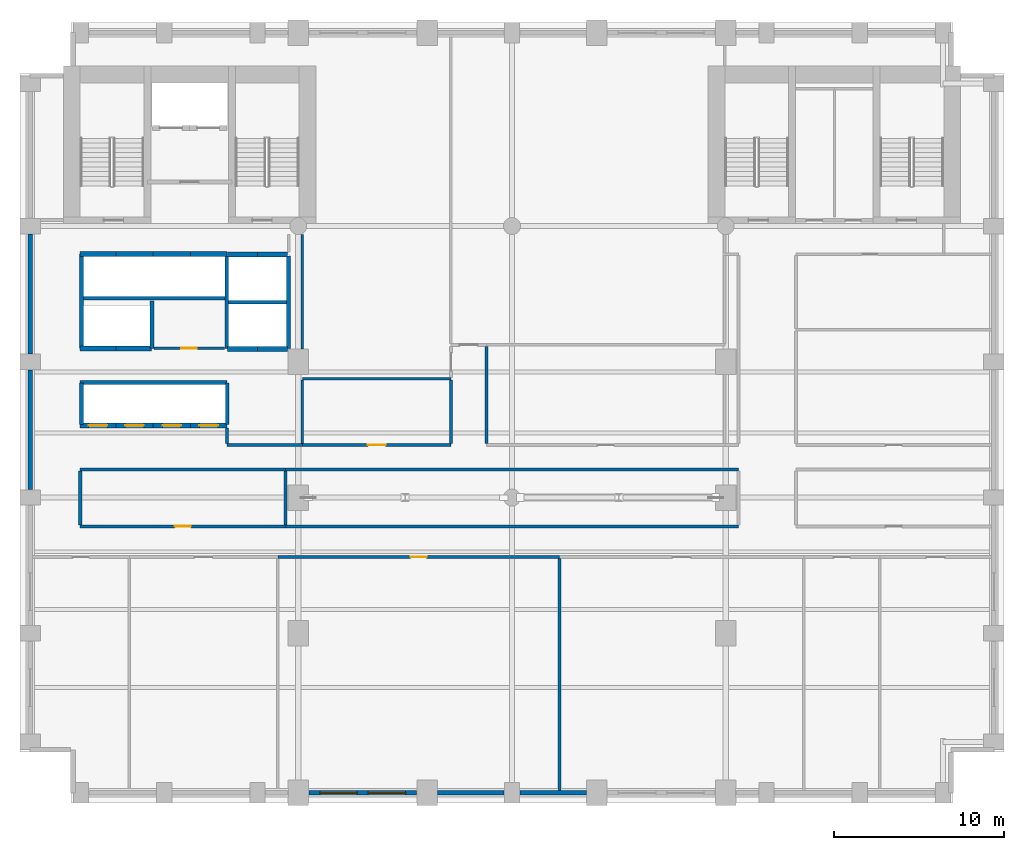
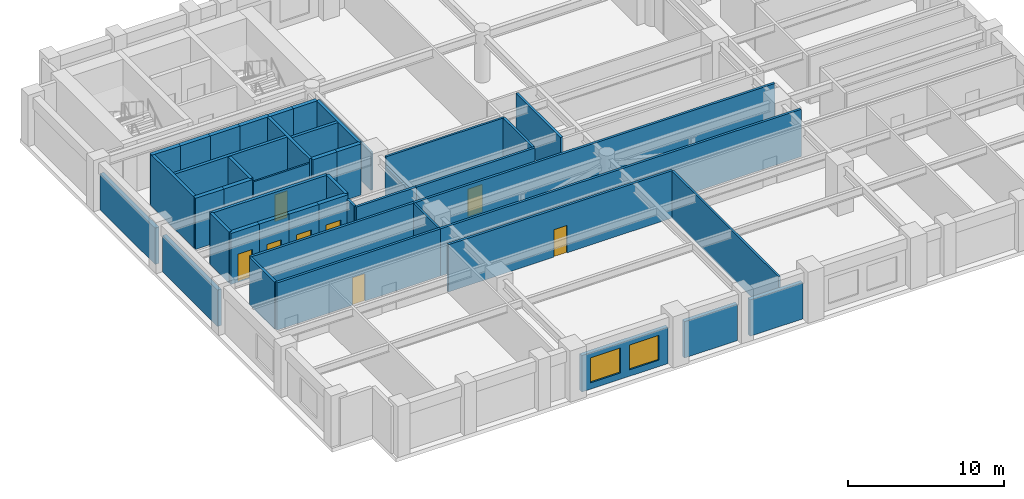
# One storey, part 5 of 10: 45 walls, 8 doors, 2 windows, 10 openings.
"""IFC4 building model written with IfcOpenShell, lengths in metres."""

from ifc_helpers import new_model, si_unit, direction, frame, frame_2d, origin, place, context, subcontext, project, spatial, rectangle, extrude, material, layer, layer_set, type_object, element, fill, save


model = new_model("IFC4")

# Units and contexts
model_context = context("Model", 3, precision=1e-05, world=origin(), true_north=direction((0.0, 1.0)))
body_context = subcontext(model_context, "Body", "Model", "MODEL_VIEW")
ifc_project = project(units=[si_unit("LENGTHUNIT", "METRE"), si_unit("AREAUNIT", "SQUARE_METRE"), si_unit("VOLUMEUNIT", "CUBIC_METRE"), si_unit("PLANEANGLEUNIT", "RADIAN"), si_unit("MASSUNIT", "GRAM", prefix="KILO")], contexts=[model_context])

# Site, building, storey
site_placement = place(None, origin())
site = spatial("IfcSite", under=ifc_project, at=site_placement, CompositionType="ELEMENT")
building_placement = place(site_placement, origin())
building = spatial("IfcBuilding", under=site, at=building_placement, Name="Sulina Concourse Tower", CompositionType="ELEMENT")
storey_placement = place(building_placement, frame((0.0, 0.0, 58.60009765625)))
storey = spatial("IfcBuildingStorey", under=building, at=storey_placement, Name="L14", CompositionType="ELEMENT", Elevation=58.60009765625)

# Walls
ifc_material_1 = material(Name="Concrete C50/60", Category="concrete")
ifc_layer_1 = layer(ifc_material_1, 0.219970703125)
ifc_layer_set_1 = layer_set([ifc_layer_1], Name="Concrete C50/60")
wall_type_1 = type_object("IfcWallType", Name="Core Lift Hoistway Divider Wall 220mm", PredefinedType="SOLIDWALL", material=ifc_layer_set_1)
wall_1_placement = place(storey_placement, frame((3.550048828125, 29.75, 0.0), z_axis=(0.0, 0.0, 1.0), x_axis=(1.0, 0.0, 0.0)))
element("IfcWall", 1, at=wall_1_placement, inside=storey, type_object=wall_type_1, Name="L14 shaft divider wall HW-LP3-S", PredefinedType="SOLIDWALL", context=body_context, shape_type="SweptSolid", body=[
    extrude(rectangle(XDim=8.64990234375, YDim=0.219970703125, at=frame_2d((4.324951171875, 0.0))), origin(), (0.0, 0.0, 1.0), 4.0),
])
wall_2_placement = place(storey_placement, frame((3.6298828125, 26.800048828125, 0.0), z_axis=(0.0, 0.0, 1.0), x_axis=(0.0, 1.0, 0.0)))
element("IfcWall", 2, at=wall_2_placement, inside=storey, type_object=wall_type_1, Name="L14 shaft divider wall HW-LP3-W", PredefinedType="SOLIDWALL", context=body_context, shape_type="SweptSolid", body=[
    extrude(rectangle(XDim=5.550048828125, YDim=0.219970703125, at=frame_2d((2.77490234375, 0.0))), origin(), (0.0, 0.0, 1.0), 4.0),
])
wall_3_placement = place(storey_placement, frame((7.780029296875, 26.800048828125, 0.0), z_axis=(0.0, 0.0, 1.0), x_axis=(0.0, 1.0, 0.0)))
element("IfcWall", 3, at=wall_3_placement, inside=storey, type_object=wall_type_1, Name="L14 shaft divider wall HW-EXP-E", PredefinedType="SOLIDWALL", context=body_context, shape_type="SweptSolid", body=[
    extrude(rectangle(XDim=2.800048828125, YDim=0.219970703125, at=frame_2d((1.39990234375, 0.0))), origin(), (0.0, 0.0, 1.0), 4.0),
])
for number, where, z_axis, x_axis, name in (
    (4, (12.179931640625, 26.800048828125, 0.0), (0.0, 0.0, 1.0), (0.0, 1.0, 0.0), "L14 shaft divider wall HW-LP2-W"),
    (5, (15.820068359375, 26.800048828125, 0.0), (0.0, 0.0, 1.0), (0.0, 1.0, 0.0), "L14 shaft divider wall HW-LP2-E"),
):
    element("IfcWall", number, at=place(storey_placement, frame(where, z_axis=z_axis, x_axis=x_axis)), inside=storey, type_object=wall_type_1, Name=name, PredefinedType="SOLIDWALL", context=body_context, shape_type="SweptSolid", body=[
        extrude(rectangle(XDim=5.449951171875, YDim=0.219970703125, at=frame_2d((2.72509765625, 0.0))), origin(), (0.0, 0.0, 1.0), 4.0),
    ])
wall_4_placement = place(storey_placement, frame((12.300048828125, 29.52001953125, 0.0), z_axis=(0.0, 0.0, 1.0), x_axis=(1.0, 0.0, 0.0)))
element("IfcWall", 6, at=wall_4_placement, inside=storey, type_object=wall_type_1, Name="L14 shaft divider wall HW-LP2-M", PredefinedType="SOLIDWALL", context=body_context, shape_type="SweptSolid", body=[
    extrude(rectangle(XDim=3.39990234375, YDim=0.219970703125, at=frame_2d((1.699951171875, 0.0))), origin(), (0.0, 0.0, 1.0), 4.0),
])
wall_5_placement = place(storey_placement, frame((3.550048828125, 24.780029296875, 0.0), z_axis=(0.0, 0.0, 1.0), x_axis=(1.0, 0.0, 0.0)))
element("IfcWall", 7, at=wall_5_placement, inside=storey, type_object=wall_type_1, Name="L14 shaft divider wall HW-LP1-N", PredefinedType="SOLIDWALL", context=body_context, shape_type="SweptSolid", body=[
    extrude(rectangle(XDim=8.64990234375, YDim=0.219970703125, at=frame_2d((4.324951171875, 0.0))), origin(), (0.0, 0.0, 1.0), 4.0),
])
for number, where, z_axis, x_axis, name in (
    (8, (3.6298828125, 22.300048828125, 0.0), (0.0, 0.0, 1.0), (0.0, 1.0, 0.0), "L14 shaft divider wall HW-LP1-W"),
    (9, (12.219970703125, 22.300048828125, 0.0), (0.0, 0.0, 1.0), (0.0, 1.0, 0.0), "L14 shaft divider wall HW-LP1-E"),
):
    element("IfcWall", number, at=place(storey_placement, frame(where, z_axis=z_axis, x_axis=x_axis)), inside=storey, type_object=wall_type_1, Name=name, PredefinedType="SOLIDWALL", context=body_context, shape_type="SweptSolid", body=[
        extrude(rectangle(XDim=2.449951171875, YDim=0.219970703125, at=frame_2d((1.22509765625, 0.0))), origin(), (0.0, 0.0, 1.0), 4.0),
    ])

# Wall, opening, door
ifc_material_2 = material(Name="Concrete C50/60", Category="concrete")
ifc_layer_2 = layer(ifc_material_2, 0.300048828125)
ifc_layer_set_2 = layer_set([ifc_layer_2], Name="Concrete C50/60")
wall_type_2 = type_object("IfcWallType", Name="Core Lift Hoistway Wall 300mm", PredefinedType="SOLIDWALL", material=ifc_layer_set_2)
wall_6_placement = place(storey_placement, frame((5.64990234375, 22.25, 0.0), z_axis=(0.0, 0.0, 1.0), x_axis=(-1.0, 0.0, 0.0)))
wall_6 = element("IfcWall", 10, at=wall_6_placement, inside=storey, type_object=wall_type_2, Name="L14 hoistway enclosure wall LP-01", PredefinedType="SOLIDWALL", context=body_context, shape_type="SweptSolid", body=[
    extrude(rectangle(XDim=2.099853515625, YDim=0.300048828125, at=frame_2d((1.0498046875, 0.0))), origin(), (0.0, 0.0, 1.0), 4.0),
])
opening_1_placement = place(wall_6_placement, frame((0.5, 0.0, 0.0)))
opening_1 = element("IfcOpeningElement", 11, at=opening_1_placement, cuts=wall_6, Name="Opening LD-01", PredefinedType="OPENING", context=body_context, shape_type="SweptSolid", body=[
    extrude(rectangle(XDim=1.10009765625, YDim=2.199951171875, at=frame_2d((0.550048828125, 1.10009765625))), frame((0.0, 0.159912109375, 0.0), z_axis=(0.0, -1.0, 0.0), x_axis=(1.0, 0.0, 0.0)), (0.0, 0.0, 1.0), 0.320068359375),
])
ifc_material_3 = material(Name="Stainless steel lift landing door", Category="steel")
ifc_layer_3 = layer(ifc_material_3, 0.050048828125)
ifc_layer_set_3 = layer_set([ifc_layer_3], Name="Stainless steel lift landing door")
door_type_1 = type_object("IfcDoorType", Name="Passenger Lift Sliding Landing Door 1100x2200", OperationType="SLIDING_TO_LEFT", PredefinedType="DOOR", material=ifc_layer_set_3)
door_1_placement = place(opening_1_placement, origin())
door_1 = element("IfcDoor", 12, at=door_1_placement, inside=storey, type_object=door_type_1, Name="L14 lift landing sliding door LP-01", OperationType="SLIDING_TO_LEFT", OverallHeight=2.199951171875, OverallWidth=1.10009765625, PredefinedType="DOOR", context=body_context, shape_type="SweptSolid", body=[
    extrude(rectangle(XDim=1.10009765625, YDim=2.199951171875, at=frame_2d((0.550048828125, 1.10009765625))), frame((0.0, 0.02490234375, 0.0), z_axis=(0.0, -1.0, 0.0), x_axis=(1.0, 0.0, 0.0)), (0.0, 0.0, 1.0), 0.050048828125),
])
fill(opening_1, door_1)

wall_7_placement = place(storey_placement, frame((7.85009765625, 22.25, 0.0), z_axis=(0.0, 0.0, 1.0), x_axis=(-1.0, 0.0, 0.0)))
wall_7 = element("IfcWall", 13, at=wall_7_placement, inside=storey, type_object=wall_type_2, Name="L14 hoistway enclosure wall LP-02", PredefinedType="SOLIDWALL", context=body_context, shape_type="SweptSolid", body=[
    extrude(rectangle(XDim=2.2001953125, YDim=0.300048828125, at=frame_2d((1.10009765625, 0.0))), origin(), (0.0, 0.0, 1.0), 4.0),
])
opening_2_placement = place(wall_7_placement, frame((0.550048828125, 0.0, 0.0)))
opening_2 = element("IfcOpeningElement", 14, at=opening_2_placement, cuts=wall_7, Name="Opening LD-01", PredefinedType="OPENING", context=body_context, shape_type="SweptSolid", body=[
    extrude(rectangle(XDim=1.10009765625, YDim=2.199951171875, at=frame_2d((0.550048828125, 1.10009765625))), frame((0.0, 0.159912109375, 0.0), z_axis=(0.0, -1.0, 0.0), x_axis=(1.0, 0.0, 0.0)), (0.0, 0.0, 1.0), 0.320068359375),
])
door_2_placement = place(opening_2_placement, origin())
door_2 = element("IfcDoor", 15, at=door_2_placement, inside=storey, type_object=door_type_1, Name="L14 lift landing sliding door LP-02", OperationType="SLIDING_TO_RIGHT", OverallHeight=2.199951171875, OverallWidth=1.10009765625, PredefinedType="DOOR", context=body_context, shape_type="SweptSolid", body=[
    extrude(rectangle(XDim=1.10009765625, YDim=2.199951171875, at=frame_2d((0.550048828125, 1.10009765625))), frame((0.0, 0.02490234375, 0.0), z_axis=(0.0, -1.0, 0.0), x_axis=(1.0, 0.0, 0.0)), (0.0, 0.0, 1.0), 0.050048828125),
])
fill(opening_2, door_2)

wall_8_placement = place(storey_placement, frame((10.050048828125, 22.25, 0.0), z_axis=(0.0, 0.0, 1.0), x_axis=(-1.0, 0.0, 0.0)))
wall_8 = element("IfcWall", 16, at=wall_8_placement, inside=storey, type_object=wall_type_2, Name="L14 hoistway enclosure wall LP-03", PredefinedType="SOLIDWALL", context=body_context, shape_type="SweptSolid", body=[
    extrude(rectangle(XDim=2.199951171875, YDim=0.300048828125, at=frame_2d((1.10009765625, 0.0))), origin(), (0.0, 0.0, 1.0), 4.0),
])
opening_3_placement = place(wall_8_placement, frame((0.550048828125, 0.0, 0.0)))
opening_3 = element("IfcOpeningElement", 17, at=opening_3_placement, cuts=wall_8, Name="Opening LD-01", PredefinedType="OPENING", context=body_context, shape_type="SweptSolid", body=[
    extrude(rectangle(XDim=1.10009765625, YDim=2.199951171875, at=frame_2d((0.550048828125, 1.10009765625))), frame((0.0, 0.159912109375, 0.0), z_axis=(0.0, -1.0, 0.0), x_axis=(1.0, 0.0, 0.0)), (0.0, 0.0, 1.0), 0.320068359375),
])
door_3_placement = place(opening_3_placement, origin())
door_3 = element("IfcDoor", 18, at=door_3_placement, inside=storey, type_object=door_type_1, Name="L14 lift landing sliding door LP-03", OperationType="SLIDING_TO_LEFT", OverallHeight=2.199951171875, OverallWidth=1.10009765625, PredefinedType="DOOR", context=body_context, shape_type="SweptSolid", body=[
    extrude(rectangle(XDim=1.10009765625, YDim=2.199951171875, at=frame_2d((0.550048828125, 1.10009765625))), frame((0.0, 0.02490234375, 0.0), z_axis=(0.0, -1.0, 0.0), x_axis=(1.0, 0.0, 0.0)), (0.0, 0.0, 1.0), 0.050048828125),
])
fill(opening_3, door_3)

wall_9_placement = place(storey_placement, frame((12.199951171875, 22.25, 0.0), z_axis=(0.0, 0.0, 1.0), x_axis=(-1.0, 0.0, 0.0)))
wall_9 = element("IfcWall", 19, at=wall_9_placement, inside=storey, type_object=wall_type_2, Name="L14 hoistway enclosure wall LP-04", PredefinedType="SOLIDWALL", context=body_context, shape_type="SweptSolid", body=[
    extrude(rectangle(XDim=2.14990234375, YDim=0.300048828125, at=frame_2d((1.074951171875, 0.0))), origin(), (0.0, 0.0, 1.0), 4.0),
])
opening_4_placement = place(wall_9_placement, frame((0.52490234375, 0.0, 0.0)))
opening_4 = element("IfcOpeningElement", 20, at=opening_4_placement, cuts=wall_9, Name="Opening LD-01", PredefinedType="OPENING", context=body_context, shape_type="SweptSolid", body=[
    extrude(rectangle(XDim=1.10009765625, YDim=2.199951171875, at=frame_2d((0.550048828125, 1.10009765625))), frame((0.0, 0.159912109375, 0.0), z_axis=(0.0, -1.0, 0.0), x_axis=(1.0, 0.0, 0.0)), (0.0, 0.0, 1.0), 0.320068359375),
])
door_4_placement = place(opening_4_placement, origin())
door_4 = element("IfcDoor", 21, at=door_4_placement, inside=storey, type_object=door_type_1, Name="L14 lift landing sliding door LP-04", OperationType="SLIDING_TO_RIGHT", OverallHeight=2.199951171875, OverallWidth=1.10009765625, PredefinedType="DOOR", context=body_context, shape_type="SweptSolid", body=[
    extrude(rectangle(XDim=1.10009765625, YDim=2.199951171875, at=frame_2d((0.550048828125, 1.10009765625))), frame((0.0, 0.02490234375, 0.0), z_axis=(0.0, -1.0, 0.0), x_axis=(1.0, 0.0, 0.0)), (0.0, 0.0, 1.0), 0.050048828125),
])
fill(opening_4, door_4)

# Walls
for number, where, z_axis, x_axis, name in (
    (22, (14.0, 26.75, 0.0), (0.0, 0.0, 1.0), (-1.0, 0.0, 0.0), "L14 hoistway enclosure wall LP-05"),
    (23, (15.780029296875, 26.75, 0.0), (0.0, 0.0, 1.0), (-1.0, 0.0, 0.0), "L14 hoistway enclosure wall LP-06"),
    (24, (12.219970703125, 32.320068359375, 0.0), (0.0, 0.0, 1.0), (1.0, 0.0, 0.0), "L14 hoistway enclosure wall LP-07"),
    (25, (14.0, 32.320068359375, 0.0), (0.0, 0.0, 1.0), (1.0, 0.0, 0.0), "L14 hoistway enclosure wall LP-08"),
):
    element("IfcWall", number, at=place(storey_placement, frame(where, z_axis=z_axis, x_axis=x_axis)), inside=storey, type_object=wall_type_2, Name=name, PredefinedType="SOLIDWALL", context=body_context, shape_type="SweptSolid", body=[
        extrude(rectangle(XDim=1.780029296875, YDim=0.300048828125, at=frame_2d((0.89013671875, 0.0))), origin(), (0.0, 0.0, 1.0), 4.0),
    ])
wall_10_placement = place(storey_placement, frame((3.550048828125, 32.35009765625, 0.0), z_axis=(0.0, 0.0, 1.0), x_axis=(1.0, 0.0, 0.0)))
element("IfcWall", 26, at=wall_10_placement, inside=storey, type_object=wall_type_2, Name="L14 hoistway enclosure wall LP-09", PredefinedType="SOLIDWALL", context=body_context, shape_type="SweptSolid", body=[
    extrude(rectangle(XDim=2.099853515625, YDim=0.300048828125, at=frame_2d((1.0498046875, 0.0))), origin(), (0.0, 0.0, 1.0), 4.0),
])
wall_11_placement = place(storey_placement, frame((5.64990234375, 32.35009765625, 0.0), z_axis=(0.0, 0.0, 1.0), x_axis=(1.0, 0.0, 0.0)))
element("IfcWall", 27, at=wall_11_placement, inside=storey, type_object=wall_type_2, Name="L14 hoistway enclosure wall LP-10", PredefinedType="SOLIDWALL", context=body_context, shape_type="SweptSolid", body=[
    extrude(rectangle(XDim=2.2001953125, YDim=0.300048828125, at=frame_2d((1.10009765625, 0.0))), origin(), (0.0, 0.0, 1.0), 4.0),
])
wall_12_placement = place(storey_placement, frame((7.85009765625, 32.35009765625, 0.0), z_axis=(0.0, 0.0, 1.0), x_axis=(1.0, 0.0, 0.0)))
element("IfcWall", 28, at=wall_12_placement, inside=storey, type_object=wall_type_2, Name="L14 hoistway enclosure wall LP-11", PredefinedType="SOLIDWALL", context=body_context, shape_type="SweptSolid", body=[
    extrude(rectangle(XDim=2.199951171875, YDim=0.300048828125, at=frame_2d((1.10009765625, 0.0))), origin(), (0.0, 0.0, 1.0), 4.0),
])
wall_13_placement = place(storey_placement, frame((10.050048828125, 32.35009765625, 0.0), z_axis=(0.0, 0.0, 1.0), x_axis=(1.0, 0.0, 0.0)))
element("IfcWall", 29, at=wall_13_placement, inside=storey, type_object=wall_type_2, Name="L14 hoistway enclosure wall LP-12", PredefinedType="SOLIDWALL", context=body_context, shape_type="SweptSolid", body=[
    extrude(rectangle(XDim=2.14990234375, YDim=0.300048828125, at=frame_2d((1.074951171875, 0.0))), origin(), (0.0, 0.0, 1.0), 4.0),
])
wall_14_placement = place(storey_placement, frame((5.64990234375, 26.780029296875, 0.0), z_axis=(0.0, 0.0, 1.0), x_axis=(-1.0, 0.0, 0.0)))
element("IfcWall", 30, at=wall_14_placement, inside=storey, type_object=wall_type_2, Name="L14 hoistway enclosure wall EXP-1", PredefinedType="SOLIDWALL", context=body_context, shape_type="SweptSolid", body=[
    extrude(rectangle(XDim=2.099853515625, YDim=0.300048828125, at=frame_2d((1.0498046875, 0.0))), origin(), (0.0, 0.0, 1.0), 4.0),
])
wall_15_placement = place(storey_placement, frame((7.75, 26.780029296875, 0.0), z_axis=(0.0, 0.0, 1.0), x_axis=(-1.0, 0.0, 0.0)))
element("IfcWall", 31, at=wall_15_placement, inside=storey, type_object=wall_type_2, Name="L14 hoistway enclosure wall EXP-2", PredefinedType="SOLIDWALL", context=body_context, shape_type="SweptSolid", body=[
    extrude(rectangle(XDim=2.10009765625, YDim=0.300048828125, at=frame_2d((1.050048828125, 0.0))), origin(), (0.0, 0.0, 1.0), 4.0),
])
ifc_material_4 = material(Name="Gypsum board on steel stud", Category="steel")
ifc_layer_4 = layer(ifc_material_4, 0.14990234375)
ifc_layer_set_4 = layer_set([ifc_layer_4], Name="Gypsum board on steel stud")
wall_type_3 = type_object("IfcWallType", Name="Inter-Tenancy Acoustic Partition 150mm", PredefinedType="PARTITIONING", material=ifc_layer_set_4)
wall_16_placement = place(storey_placement, frame((16.64990234375, 25.0, 0.0), z_axis=(0.0, 0.0, 1.0), x_axis=(1.0, 0.0, 0.0)))
element("IfcWall", 32, at=wall_16_placement, inside=storey, type_object=wall_type_3, Name="L14 interior partition 018", PredefinedType="PARTITIONING", context=body_context, shape_type="SweptSolid", body=[
    extrude(rectangle(XDim=8.75, YDim=0.14990234375, at=frame_2d((4.375, 0.0))), origin(), (0.0, 0.0, 1.0), 3.699951171875),
])
wall_17_placement = place(storey_placement, frame((12.199951171875, 21.18994140625, 0.0), z_axis=(0.0, 0.0, 1.0), x_axis=(0.0, 1.0, 0.0)))
element("IfcWall", 33, at=wall_17_placement, inside=storey, type_object=wall_type_3, Name="L14 interior partition 031", PredefinedType="PARTITIONING", context=body_context, shape_type="SweptSolid", body=[
    extrude(rectangle(XDim=0.91015625, YDim=0.14990234375, at=frame_2d((0.455078125, 0.0))), origin(), (0.0, 0.0, 1.0), 3.699951171875),
])
wall_18_placement = place(storey_placement, frame((15.64990234375, 16.389892578125, 0.0), z_axis=(0.0, 0.0, 1.0), x_axis=(0.0, 1.0, 0.0)))
element("IfcWall", 34, at=wall_18_placement, inside=storey, type_object=wall_type_3, Name="L14 interior partition 033", PredefinedType="PARTITIONING", context=body_context, shape_type="SweptSolid", body=[
    extrude(rectangle(XDim=3.170166015625, YDim=0.14990234375, at=frame_2d((1.5849609375, 0.0))), origin(), (0.0, 0.0, 1.0), 3.699951171875),
])
wall_19_placement = place(storey_placement, frame((16.64990234375, 21.18994140625, 0.0), z_axis=(0.0, 0.0, 1.0), x_axis=(0.0, 1.0, 0.0)))
element("IfcWall", 35, at=wall_19_placement, inside=storey, type_object=wall_type_3, Name="L14 interior partition 035", PredefinedType="PARTITIONING", context=body_context, shape_type="SweptSolid", body=[
    extrude(rectangle(XDim=3.735107421875, YDim=0.14990234375, at=frame_2d((1.86767578125, 0.0))), origin(), (0.0, 0.0, 1.0), 2.994873046875),
])
wall_20_placement = place(storey_placement, frame((16.64990234375, 26.75, 0.0), z_axis=(0.0, 0.0, 1.0), x_axis=(0.0, 1.0, 0.0)))
element("IfcWall", 36, at=wall_20_placement, inside=storey, type_object=wall_type_3, Name="L14 interior partition 036", PredefinedType="PARTITIONING", context=body_context, shape_type="SweptSolid", body=[
    extrude(rectangle(XDim=6.75, YDim=0.14990234375, at=frame_2d((3.375, 0.0))), origin(), (0.0, 0.0, 1.0), 2.994873046875),
])
wall_21_placement = place(storey_placement, frame((31.800048828125, 0.739990234375, 0.0), z_axis=(0.0, 0.0, 1.0), x_axis=(0.0, 1.0, 0.0)))
element("IfcWall", 37, at=wall_21_placement, inside=storey, type_object=wall_type_3, Name="L14 interior partition 041", PredefinedType="PARTITIONING", context=body_context, shape_type="SweptSolid", body=[
    extrude(rectangle(XDim=13.669921875, YDim=0.14990234375, at=frame_2d((6.8349609375, 0.0))), origin(), (0.0, 0.0, 1.0), 3.699951171875),
])

# Wall, opening, door
ifc_material_5 = material(Name="Gypsum board on steel stud", Category="steel")
ifc_layer_5 = layer(ifc_material_5, 0.179931640625)
ifc_layer_set_5 = layer_set([ifc_layer_5], Name="Gypsum board on steel stud")
wall_type_4 = type_object("IfcWallType", Name="Protected Corridor & Riser Partition 180mm", PredefinedType="PARTITIONING", material=ifc_layer_set_5)
wall_22_placement = place(storey_placement, frame((15.199951171875, 14.5, 0.0), z_axis=(0.0, 0.0, 1.0), x_axis=(1.0, 0.0, 0.0)))
wall_22 = element("IfcWall", 38, at=wall_22_placement, inside=storey, type_object=wall_type_4, Name="L14 interior partition 003", PredefinedType="PARTITIONING", context=body_context, shape_type="SweptSolid", body=[
    extrude(rectangle(XDim=16.60009765625, YDim=0.179931640625, at=frame_2d((8.300048828125, 0.0))), origin(), (0.0, 0.0, 1.0), 3.699951171875),
])
opening_5_placement = place(wall_22_placement, frame((7.824951171875, 0.0, 0.0)))
opening_5 = element("IfcOpeningElement", 39, at=opening_5_placement, cuts=wall_22, Name="Opening DR-19", PredefinedType="OPENING", context=body_context, shape_type="SweptSolid", body=[
    extrude(rectangle(XDim=0.949951171875, YDim=2.14990234375, at=frame_2d((0.47509765625, 1.074951171875))), frame((0.0, 0.099853515625, 0.0), z_axis=(0.0, -1.0, 0.0), x_axis=(1.0, 0.0, 0.0)), (0.0, 0.0, 1.0), 0.199951171875),
])
ifc_material_6 = material(Name="Oak-veneered acoustic timber leaf", Category="wood")
ifc_layer_6 = layer(ifc_material_6, 0.050048828125)
ifc_layer_set_6 = layer_set([ifc_layer_6], Name="Oak-veneered acoustic timber leaf")
door_type_2 = type_object("IfcDoorType", Name="Cellular Office & Meeting Door 950x2150", OperationType="NOTDEFINED", PredefinedType="DOOR", material=ifc_layer_set_6)
door_5_placement = place(opening_5_placement, origin())
door_5 = element("IfcDoor", 40, at=door_5_placement, inside=storey, type_object=door_type_2, Name="L14 interior door L14-S02", OperationType="SINGLE_SWING_RIGHT", OverallHeight=2.14990234375, OverallWidth=0.949951171875, PredefinedType="DOOR", context=body_context, shape_type="SweptSolid", body=[
    extrude(rectangle(XDim=0.949951171875, YDim=2.14990234375, at=frame_2d((0.47509765625, 1.074951171875))), frame((0.0, 0.02490234375, 0.0), z_axis=(0.0, -1.0, 0.0), x_axis=(1.0, 0.0, 0.0)), (0.0, 0.0, 1.0), 0.050048828125),
])
fill(opening_5, door_5)

wall_23_placement = place(storey_placement, frame((3.550048828125, 16.300048828125, 0.0), z_axis=(0.0, 0.0, 1.0), x_axis=(1.0, 0.0, 0.0)))
wall_23 = element("IfcWall", 41, at=wall_23_placement, inside=storey, type_object=wall_type_4, Name="L14 interior partition 007", PredefinedType="PARTITIONING", context=body_context, shape_type="SweptSolid", body=[
    extrude(rectangle(XDim=12.099853515625, YDim=0.179931640625, at=frame_2d((6.0498046875, 0.0))), origin(), (0.0, 0.0, 1.0), 3.699951171875),
])
opening_6_placement = place(wall_23_placement, frame((5.574951171875, 0.0, 0.0)))
opening_6 = element("IfcOpeningElement", 42, at=opening_6_placement, cuts=wall_23, Name="Opening DR-19", PredefinedType="OPENING", context=body_context, shape_type="SweptSolid", body=[
    extrude(rectangle(XDim=0.949951171875, YDim=2.14990234375, at=frame_2d((0.47509765625, 1.074951171875))), frame((0.0, 0.099853515625, 0.0), z_axis=(0.0, -1.0, 0.0), x_axis=(1.0, 0.0, 0.0)), (0.0, 0.0, 1.0), 0.199951171875),
])
door_6_placement = place(opening_6_placement, origin())
door_6 = element("IfcDoor", 43, at=door_6_placement, inside=storey, type_object=door_type_2, Name="L14 interior door L14-OFF-LBTW", OperationType="SINGLE_SWING_RIGHT", OverallHeight=2.14990234375, OverallWidth=0.949951171875, PredefinedType="DOOR", context=body_context, shape_type="SweptSolid", body=[
    extrude(rectangle(XDim=0.949951171875, YDim=2.14990234375, at=frame_2d((0.47509765625, 1.074951171875))), frame((0.0, 0.02490234375, 0.0), z_axis=(0.0, -1.0, 0.0), x_axis=(1.0, 0.0, 0.0)), (0.0, 0.0, 1.0), 0.050048828125),
])
fill(opening_6, door_6)

# Walls
wall_24_placement = place(storey_placement, frame((15.64990234375, 16.300048828125, 0.0), z_axis=(0.0, 0.0, 1.0), x_axis=(1.0, 0.0, 0.0)))
element("IfcWall", 44, at=wall_24_placement, inside=storey, type_object=wall_type_4, Name="L14 interior partition 008", PredefinedType="PARTITIONING", context=body_context, shape_type="SweptSolid", body=[
    extrude(rectangle(XDim=26.7001953125, YDim=0.179931640625, at=frame_2d((13.35009765625, 0.0))), origin(), (0.0, 0.0, 1.0), 3.699951171875),
])
wall_25_placement = place(storey_placement, frame((3.550048828125, 19.64990234375, 0.0), z_axis=(0.0, 0.0, 1.0), x_axis=(1.0, 0.0, 0.0)))
element("IfcWall", 45, at=wall_25_placement, inside=storey, type_object=wall_type_4, Name="L14 interior partition 010", PredefinedType="PARTITIONING", context=body_context, shape_type="SweptSolid", body=[
    extrude(rectangle(XDim=12.099853515625, YDim=0.179931640625, at=frame_2d((6.0498046875, 0.0))), origin(), (0.0, 0.0, 1.0), 3.699951171875),
])
wall_26_placement = place(storey_placement, frame((15.64990234375, 19.64990234375, 0.0), z_axis=(0.0, 0.0, 1.0), x_axis=(1.0, 0.0, 0.0)))
element("IfcWall", 46, at=wall_26_placement, inside=storey, type_object=wall_type_4, Name="L14 interior partition 011", PredefinedType="PARTITIONING", context=body_context, shape_type="SweptSolid", body=[
    extrude(rectangle(XDim=26.7001953125, YDim=0.179931640625, at=frame_2d((13.35009765625, 0.0))), origin(), (0.0, 0.0, 1.0), 3.699951171875),
])
wall_27_placement = place(storey_placement, frame((12.199951171875, 21.10009765625, 0.0), z_axis=(0.0, 0.0, 1.0), x_axis=(1.0, 0.0, 0.0)))
element("IfcWall", 47, at=wall_27_placement, inside=storey, type_object=wall_type_4, Name="L14 interior partition 013", PredefinedType="PARTITIONING", context=body_context, shape_type="SweptSolid", body=[
    extrude(rectangle(XDim=4.449951171875, YDim=0.179931640625, at=frame_2d((2.22509765625, 0.0))), origin(), (0.0, 0.0, 1.0), 3.699951171875),
])

# Wall, opening, door
wall_28_placement = place(storey_placement, frame((16.64990234375, 21.10009765625, 0.0), z_axis=(0.0, 0.0, 1.0), x_axis=(1.0, 0.0, 0.0)))
wall_28 = element("IfcWall", 48, at=wall_28_placement, inside=storey, type_object=wall_type_4, Name="L14 interior partition 014", PredefinedType="PARTITIONING", context=body_context, shape_type="SweptSolid", body=[
    extrude(rectangle(XDim=8.75, YDim=0.179931640625, at=frame_2d((4.375, 0.0))), origin(), (0.0, 0.0, 1.0), 3.699951171875),
])
opening_7_placement = place(wall_28_placement, frame((3.85009765625, 0.0, 0.0)))
opening_7 = element("IfcOpeningElement", 49, at=opening_7_placement, cuts=wall_28, Name="Opening DR-37", PredefinedType="OPENING", context=body_context, shape_type="SweptSolid", body=[
    extrude(rectangle(XDim=1.050048828125, YDim=2.14990234375, at=frame_2d((0.52490234375, 1.074951171875))), frame((0.0, 0.099853515625, 0.0), z_axis=(0.0, -1.0, 0.0), x_axis=(1.0, 0.0, 0.0)), (0.0, 0.0, 1.0), 0.199951171875),
])
ifc_material_7 = material(Name="Oak-veneered fire door leaf")
ifc_layer_7 = layer(ifc_material_7, 0.050048828125)
ifc_layer_set_7 = layer_set([ifc_layer_7], Name="Oak-veneered fire door leaf")
door_type_3 = type_object("IfcDoorType", Name="Tenant Suite Entrance Fire Door 1050x2150", OperationType="NOTDEFINED", PredefinedType="DOOR", material=ifc_layer_set_7)
door_7_placement = place(opening_7_placement, origin())
door_7 = element("IfcDoor", 50, at=door_7_placement, inside=storey, type_object=door_type_3, Name="L14 interior door L14-NC1", OperationType="SINGLE_SWING_RIGHT", OverallHeight=2.14990234375, OverallWidth=1.050048828125, PredefinedType="DOOR", context=body_context, shape_type="SweptSolid", body=[
    extrude(rectangle(XDim=1.050048828125, YDim=2.14990234375, at=frame_2d((0.52490234375, 1.074951171875))), frame((0.0, 0.02490234375, 0.0), z_axis=(0.0, -1.0, 0.0), x_axis=(1.0, 0.0, 0.0)), (0.0, 0.0, 1.0), 0.050048828125),
])
fill(opening_7, door_7)

# Walls
wall_29_placement = place(storey_placement, frame((3.550048828125, 16.389892578125, 0.0), z_axis=(0.0, 0.0, 1.0), x_axis=(0.0, 1.0, 0.0)))
element("IfcWall", 51, at=wall_29_placement, inside=storey, type_object=wall_type_4, Name="L14 interior partition 029", PredefinedType="PARTITIONING", context=body_context, shape_type="SweptSolid", body=[
    extrude(rectangle(XDim=3.170166015625, YDim=0.179931640625, at=frame_2d((1.5849609375, 0.0))), origin(), (0.0, 0.0, 1.0), 3.699951171875),
])
wall_30_placement = place(storey_placement, frame((25.39990234375, 21.18994140625, 0.0), z_axis=(0.0, 0.0, 1.0), x_axis=(0.0, 1.0, 0.0)))
element("IfcWall", 52, at=wall_30_placement, inside=storey, type_object=wall_type_4, Name="L14 interior partition 037", PredefinedType="PARTITIONING", context=body_context, shape_type="SweptSolid", body=[
    extrude(rectangle(XDim=3.735107421875, YDim=0.179931640625, at=frame_2d((1.86767578125, 0.0))), origin(), (0.0, 0.0, 1.0), 3.699951171875),
])
wall_31_placement = place(storey_placement, frame((27.5, 21.18994140625, 0.0), z_axis=(0.0, 0.0, 1.0), x_axis=(0.0, 1.0, 0.0)))
element("IfcWall", 53, at=wall_31_placement, inside=storey, type_object=wall_type_4, Name="L14 interior partition 040", PredefinedType="PARTITIONING", context=body_context, shape_type="SweptSolid", body=[
    extrude(rectangle(XDim=5.719970703125, YDim=0.179931640625, at=frame_2d((2.85986328125, 0.0))), origin(), (0.0, 0.0, 1.0), 3.699951171875),
])

# Wall, openings, windows
ifc_material_8 = material(Name="Precast concrete C50/60", Category="concrete")
ifc_layer_8 = layer(ifc_material_8, 0.280029296875)
ifc_layer_set_8 = layer_set([ifc_layer_8], Name="Precast concrete C50/60")
wall_type_5 = type_object("IfcWallType", Name="Typical Precast Masonry-Frame Facade Wall 280mm", PredefinedType="SOLIDWALL", material=ifc_layer_set_8)
wall_32_placement = place(storey_placement, frame((23.3798828125, 0.60009765625, 0.0), z_axis=(0.0, 0.0, 1.0), x_axis=(-1.0, 0.0, 0.0)))
wall_32 = element("IfcWall", 54, at=wall_32_placement, inside=storey, type_object=wall_type_5, Name="L14 exterior precast wall S4", PredefinedType="SOLIDWALL", context=body_context, shape_type="SweptSolid", body=[
    extrude(rectangle(XDim=6.35986328125, YDim=0.280029296875, at=frame_2d((3.179931640625, 0.0))), origin(), (0.0, 0.0, 1.0), 2.849853515625),
])
opening_8_placement = place(wall_32_placement, frame((0.6533203125, 0.0, 0.5)))
opening_8 = element("IfcOpeningElement", 55, at=opening_8_placement, cuts=wall_32, Name="Opening WN-76", PredefinedType="OPENING", context=body_context, shape_type="SweptSolid", body=[
    extrude(rectangle(XDim=2.199951171875, YDim=1.949951171875, at=frame_2d((1.10009765625, 0.97509765625))), frame((0.0, 0.14990234375, 0.0), z_axis=(0.0, -1.0, 0.0), x_axis=(1.0, 0.0, 0.0)), (0.0, 0.0, 1.0), 0.300048828125),
])
opening_9_placement = place(wall_32_placement, frame((3.506591796875, 0.0, 0.5)))
opening_9 = element("IfcOpeningElement", 56, at=opening_9_placement, cuts=wall_32, Name="Opening WN-76", PredefinedType="OPENING", context=body_context, shape_type="SweptSolid", body=[
    extrude(rectangle(XDim=2.199951171875, YDim=1.949951171875, at=frame_2d((1.10009765625, 0.97509765625))), frame((0.0, 0.14990234375, 0.0), z_axis=(0.0, -1.0, 0.0), x_axis=(1.0, 0.0, 0.0)), (0.0, 0.0, 1.0), 0.300048828125),
])
ifc_material_9 = material(Name="Low-E solar double glazing in bronze aluminium", Category="aluminium")
window_type = type_object("IfcWindowType", Name="Recessed Spandrel Window 2200x1950", PartitioningType="DOUBLE_PANEL_VERTICAL", PredefinedType="WINDOW", material=ifc_material_9)
window_1_placement = place(opening_8_placement, origin())
window_1 = element("IfcWindow", 57, at=window_1_placement, inside=storey, type_object=window_type, Name="L14 punched window S4-1", OverallHeight=1.949951171875, OverallWidth=2.199951171875, PartitioningType="SINGLE_PANEL", PredefinedType="WINDOW", context=body_context, shape_type="SweptSolid", body=[
    extrude(rectangle(XDim=2.199951171875, YDim=1.949951171875, at=frame_2d((1.10009765625, 0.97509765625))), frame((0.0, 0.030029296875, 0.0), z_axis=(0.0, -1.0, 0.0), x_axis=(1.0, 0.0, 0.0)), (0.0, 0.0, 1.0), 0.06005859375),
])
fill(opening_8, window_1)
window_2_placement = place(opening_9_placement, origin())
window_2 = element("IfcWindow", 58, at=window_2_placement, inside=storey, type_object=window_type, Name="L14 punched window S4-2", OverallHeight=1.949951171875, OverallWidth=2.199951171875, PartitioningType="SINGLE_PANEL", PredefinedType="WINDOW", context=body_context, shape_type="SweptSolid", body=[
    extrude(rectangle(XDim=2.199951171875, YDim=1.949951171875, at=frame_2d((1.10009765625, 0.97509765625))), frame((0.0, 0.030029296875, 0.0), z_axis=(0.0, -1.0, 0.0), x_axis=(1.0, 0.0, 0.0)), (0.0, 0.0, 1.0), 0.06005859375),
])
fill(opening_9, window_2)

# Walls
for number, where, z_axis, x_axis, name in (
    (59, (28.530029296875, 0.60009765625, 0.0), (0.0, 0.0, 1.0), (-1.0, 0.0, 0.0), "L14 exterior precast wall S5"),
    (60, (33.3798828125, 0.60009765625, 0.0), (0.0, 0.0, 1.0), (-1.0, 0.0, 0.0), "L14 exterior precast wall S6"),
):
    element("IfcWall", number, at=place(storey_placement, frame(where, z_axis=z_axis, x_axis=x_axis)), inside=storey, type_object=wall_type_5, Name=name, PredefinedType="SOLIDWALL", context=body_context, shape_type="SweptSolid", body=[
        extrude(rectangle(XDim=3.909912109375, YDim=0.280029296875, at=frame_2d((1.955078125, 0.0))), origin(), (0.0, 0.0, 1.0), 2.849853515625),
    ])
for number, where, z_axis, x_axis, name in (
    (61, (0.60009765625, 18.469970703125, 0.0), (0.0, 0.0, 1.0), (0.0, 1.0, 0.0), "L14 exterior precast wall W3"),
    (62, (0.60009765625, 26.469970703125, 0.0), (0.0, 0.0, 1.0), (0.0, 1.0, 0.0), "L14 exterior precast wall W4"),
):
    element("IfcWall", number, at=place(storey_placement, frame(where, z_axis=z_axis, x_axis=x_axis)), inside=storey, type_object=wall_type_5, Name=name, PredefinedType="SOLIDWALL", context=body_context, shape_type="SweptSolid", body=[
        extrude(rectangle(XDim=7.06005859375, YDim=0.280029296875, at=frame_2d((3.530029296875, 0.0))), origin(), (0.0, 0.0, 1.0), 2.849853515625),
    ])

# Wall, opening, door
ifc_material_10 = material(Name="Gypsum board on steel stud", Category="steel")
ifc_layer_9 = layer(ifc_material_10, 0.125)
ifc_layer_set_9 = layer_set([ifc_layer_9], Name="Gypsum board on steel stud")
wall_type_6 = type_object("IfcWallType", Name="Wet-Area Moisture-Resistant Partition 125mm", PredefinedType="PARTITIONING", material=ifc_layer_set_9)
wall_33_placement = place(storey_placement, frame((7.889892578125, 26.800048828125, 0.0), z_axis=(0.0, 0.0, 1.0), x_axis=(1.0, 0.0, 0.0)))
wall_33 = element("IfcWall", 63, at=wall_33_placement, inside=storey, type_object=wall_type_6, Name="L14 interior partition 019", PredefinedType="PARTITIONING", context=body_context, shape_type="SweptSolid", body=[
    extrude(rectangle(XDim=4.16015625, YDim=0.125, at=frame_2d((2.080078125, 0.0))), origin(), (0.0, 0.0, 1.0), 3.699951171875),
])
opening_10_placement = place(wall_33_placement, frame((1.6201171875, 0.0, 0.0)))
opening_10 = element("IfcOpeningElement", 64, at=opening_10_placement, cuts=wall_33, Name="Opening DR-61", PredefinedType="OPENING", context=body_context, shape_type="SweptSolid", body=[
    extrude(rectangle(XDim=0.919921875, YDim=2.10009765625, at=frame_2d((0.4599609375, 1.050048828125))), frame((0.0, 0.072509765625, 0.0), z_axis=(0.0, -1.0, 0.0), x_axis=(1.0, 0.0, 0.0)), (0.0, 0.0, 1.0), 0.14501953125),
])
ifc_material_11 = material(Name="Oak-veneered fire door leaf")
ifc_layer_10 = layer(ifc_material_11, 0.050048828125)
ifc_layer_set_10 = layer_set([ifc_layer_10], Name="Oak-veneered fire door leaf")
door_type_4 = type_object("IfcDoorType", Name="Accessible WC Door 920x2100", OperationType="NOTDEFINED", PredefinedType="DOOR", material=ifc_layer_set_10)
door_8_placement = place(opening_10_placement, origin())
door_8 = element("IfcDoor", 65, at=door_8_placement, inside=storey, type_object=door_type_4, Name="L14 interior door L14-WC-ACC", OperationType="SINGLE_SWING_LEFT", OverallHeight=2.10009765625, OverallWidth=0.919921875, PredefinedType="DOOR", context=body_context, shape_type="SweptSolid", body=[
    extrude(rectangle(XDim=0.919921875, YDim=2.10009765625, at=frame_2d((0.4599609375, 1.050048828125))), frame((0.0, 0.02490234375, 0.0), z_axis=(0.0, -1.0, 0.0), x_axis=(1.0, 0.0, 0.0)), (0.0, 0.0, 1.0), 0.050048828125),
])
fill(opening_10, door_8)

save(model, "model.ifc")
